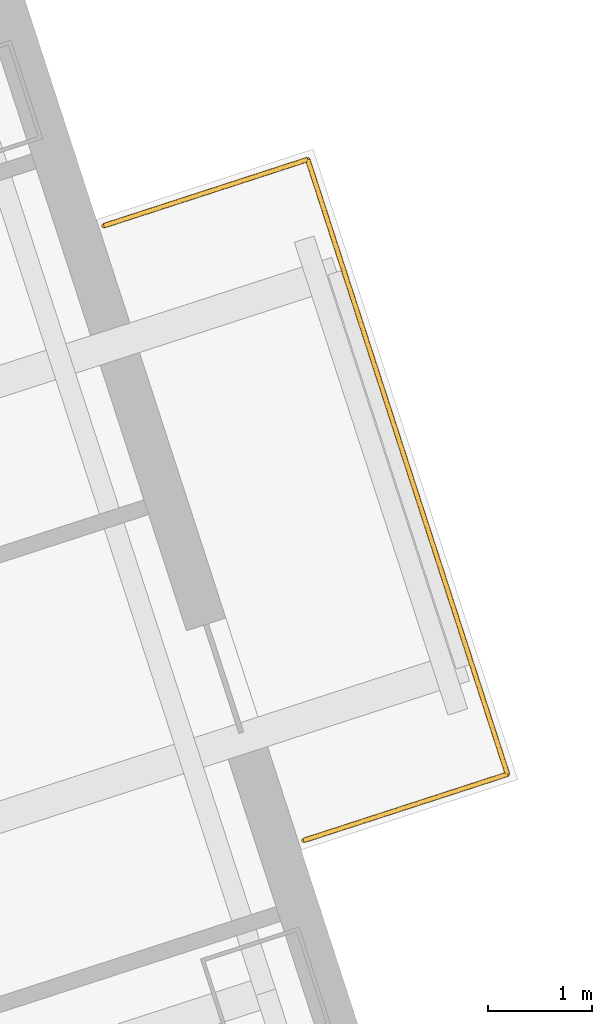
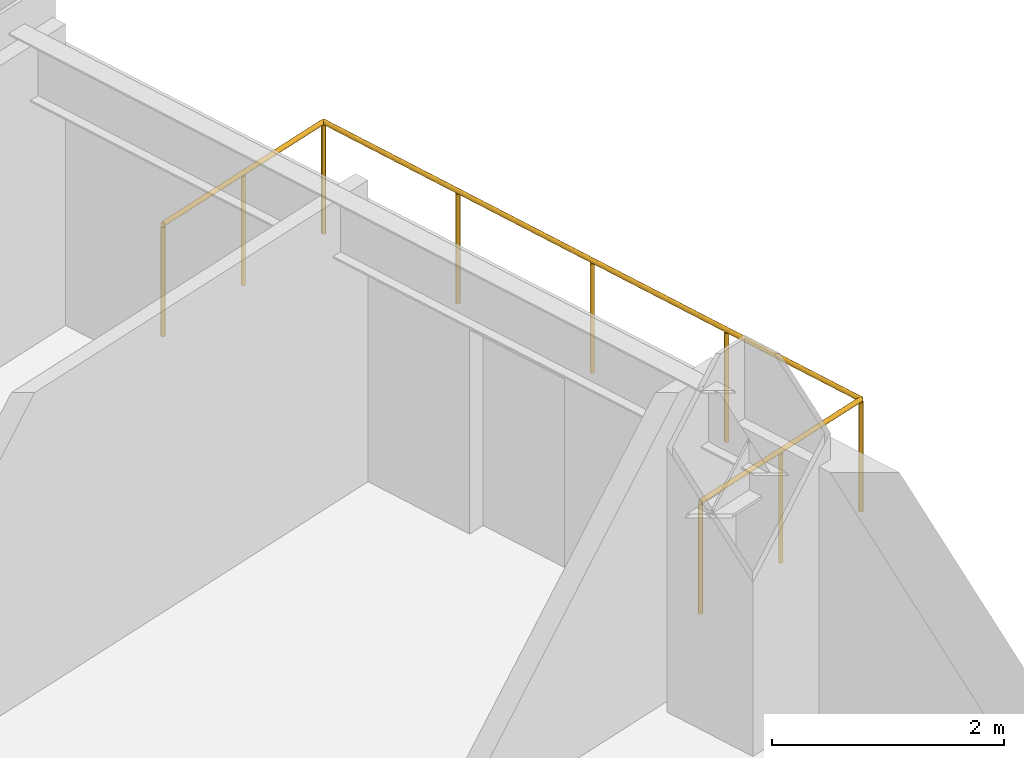
# One storey, part 15 of 15: 1 railing.
"""IFC4 building model written with IfcOpenShell, lengths in metres."""

from ifc_helpers import new_model, si_unit, direction, frame, origin, origin_2d, place, context, subcontext, project, spatial, circle, extrude, material, type_object, element, save


model = new_model("IFC4")

# Units and contexts
model_context = context("Model", 3, precision=1e-05, world=origin(), true_north=direction((0.0, 1.0)))
body_context = subcontext(model_context, "Body", "Model", "MODEL_VIEW")
ifc_project = project(units=[si_unit("LENGTHUNIT", "METRE"), si_unit("AREAUNIT", "SQUARE_METRE"), si_unit("VOLUMEUNIT", "CUBIC_METRE"), si_unit("PLANEANGLEUNIT", "RADIAN"), si_unit("MASSUNIT", "GRAM", prefix="KILO")], contexts=[model_context])

# Site, building, storey
site_placement = place(None, origin())
site = spatial("IfcSite", under=ifc_project, at=site_placement, CompositionType="ELEMENT")
building_placement = place(site_placement, origin())
building = spatial("IfcBuilding", under=site, at=building_placement, Name="Qiaolan Cultural Towers", CompositionType="ELEMENT")
storey_placement = place(building_placement, frame((0.0, 0.0, 71.300048828125)))
storey = spatial("IfcBuildingStorey", under=building, at=storey_placement, Name="L17", CompositionType="ELEMENT", Elevation=71.300048828125)

# Railing
ifc_material = material(Name="Laminated SentryGlas & Stainless Steel S31608 Balustrade", Category="steel")
railing_type = type_object("IfcRailingType", Name="GRD-TERR-1200", PredefinedType="BALUSTRADE", material=ifc_material)
railing_placement = place(storey_placement, frame((107.912353515625, 41.166015625, 0.0)))
element("IfcRailing", 1, at=railing_placement, inside=storey, type_object=railing_type, Name="L17 T2 Tree Balcony Guardrail E", PredefinedType="BALUSTRADE", context=body_context, shape_type="SweptSolid", body=[
    extrude(circle(Radius=0.02392578125, at=origin_2d()), frame((0.0, 0.0, 1.17578125), z_axis=(0.951061799618, 0.309000733507, 0.0), x_axis=(-0.309000733507, 0.951061799618, 0.0)), (0.0, 0.0, 1.0), 2.070068359375),
    extrude(circle(Radius=0.02392578125, at=origin_2d()), frame((1.96875, 0.6396484375, 1.17578125), z_axis=(-0.309047146287, 0.951046718817, 0.0), x_axis=(-0.951046718817, -0.309047146287, 0.0)), (0.0, 0.0, 1.0), 6.239990234375),
    extrude(circle(Radius=0.02392578125, at=origin_2d()), frame((0.040283203125, 6.57421875, 1.17578125), z_axis=(-0.951050536716, -0.309035397023, 0.0), x_axis=(0.309035397023, -0.951050536716, 0.0)), (0.0, 0.0, 1.0), 2.06982421875),
    extrude(circle(Radius=0.02099609375, at=origin_2d()), origin(), (0.0, 0.0, 1.0), 1.15185546875),
    extrude(circle(Radius=0.02099609375, at=origin_2d()), frame((0.984375, 0.31982421875, 0.0)), (0.0, 0.0, 1.0), 1.15185546875),
    extrude(circle(Radius=0.02099609375, at=origin_2d()), frame((1.96875, 0.6396484375, 0.0)), (0.0, 0.0, 1.0), 1.15185546875),
    extrude(circle(Radius=0.02099609375, at=origin_2d()), frame((1.486572265625, 2.123291015625, 0.0)), (0.0, 0.0, 1.0), 1.15185546875),
    extrude(circle(Radius=0.02099609375, at=origin_2d()), frame((1.00439453125, 3.60693359375, 0.0)), (0.0, 0.0, 1.0), 1.15185546875),
    extrude(circle(Radius=0.02099609375, at=origin_2d()), frame((0.5224609375, 5.090576171875, 0.0)), (0.0, 0.0, 1.0), 1.15185546875),
    extrude(circle(Radius=0.02099609375, at=origin_2d()), frame((0.040283203125, 6.57421875, 0.0)), (0.0, 0.0, 1.0), 1.15185546875),
    extrude(circle(Radius=0.02099609375, at=origin_2d()), frame((-0.94384765625, 6.25439453125, 0.0)), (0.0, 0.0, 1.0), 1.15185546875),
    extrude(circle(Radius=0.02099609375, at=origin_2d()), frame((-1.92822265625, 5.9345703125, 0.0)), (0.0, 0.0, 1.0), 1.15185546875),
])

save(model, "model.ifc")
